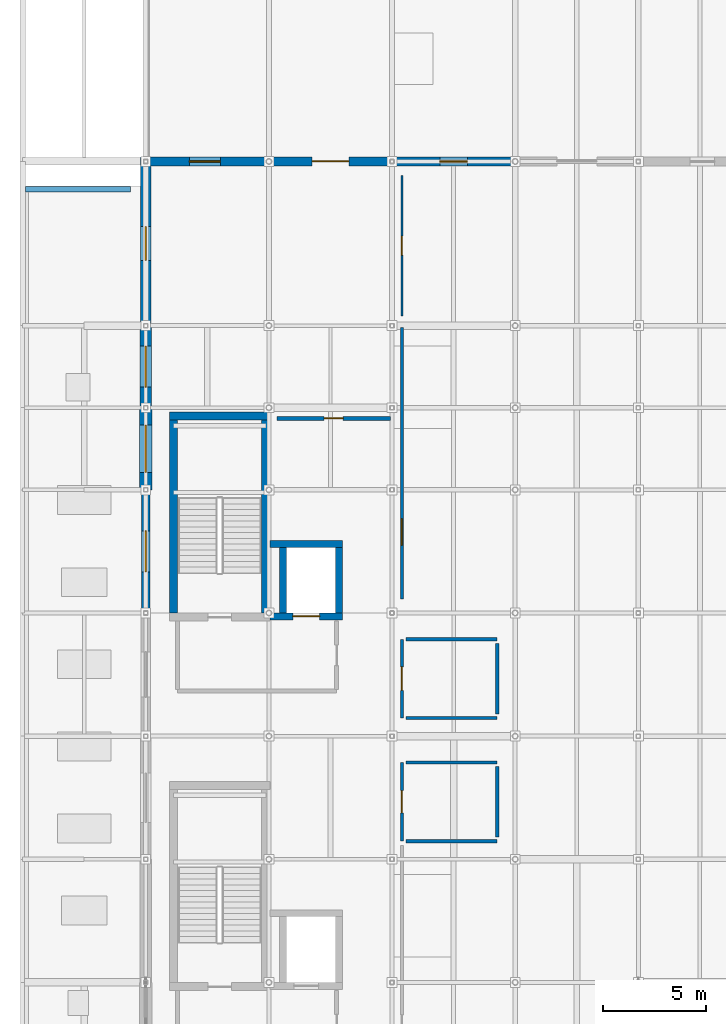
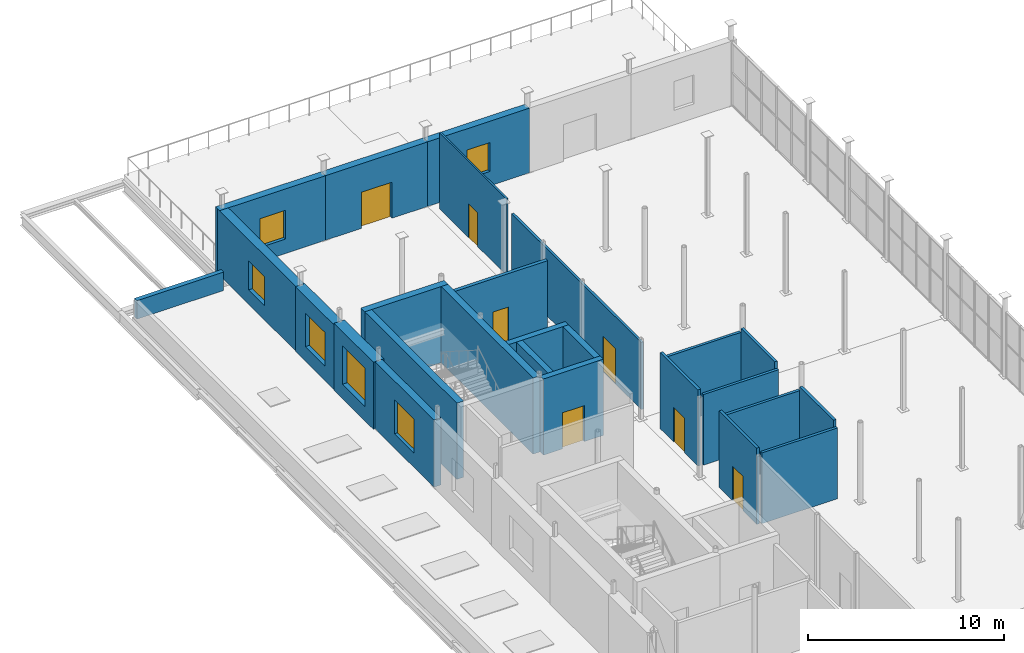
# One storey, part 24 of 27: 26 walls, 7 doors, 6 windows, 13 openings.
"""IFC4 building model written with IfcOpenShell, lengths in metres."""

import ifcopenshell
import ifcopenshell.guid

model = None  # the IFC model being written
_history = None  # IfcOwnerHistory: only IFC2X3 demands one
_inside = {}  # id of a spatial element -> (the spatial element, [elements in it])
_under = {}  # id of a project, library or spatial element -> (it, [spatial elements below it])
_declared = {}  # id of a project -> (the project, [libraries it declares])
_typed = {}  # id of a type object -> (the type object, [elements of that type])
_made_of = {}  # id of a material, layer set ... -> (it, [elements and type objects made of it])


def new_model(schema):
    """Start an empty IFC model of exactly this schema.

    Asked for "IFC4X3", IfcOpenShell would pick the latest addendum, in which some entities
    have other attributes; the version numbers below select the first issue.
    IFC2X3 requires an IfcOwnerHistory on every rooted entity: one is made here for all.
    """
    global model, _history
    if schema == "IFC4X3":
        model = ifcopenshell.file(schema_version=(4, 3, 0, 0))
    else:
        model = ifcopenshell.file(schema=schema)
    _inside.clear()
    _under.clear()
    _declared.clear()
    _typed.clear()
    _made_of.clear()
    _history = None
    if model.schema == "IFC2X3":
        org = make("IfcOrganization", Name="unknown")
        user = make(
            "IfcPersonAndOrganization",
            ThePerson=make("IfcPerson", FamilyName="unknown"),
            TheOrganization=org,
        )
        app = make(
            "IfcApplication",
            ApplicationDeveloper=org,
            Version="unknown",
            ApplicationFullName="unknown",
            ApplicationIdentifier="unknown",
        )
        _history = make(
            "IfcOwnerHistory",
            OwningUser=user,
            OwningApplication=app,
            ChangeAction="ADDED",
            CreationDate=0,
        )
    return model


def make(cls, **values):
    """One entity of the class cls with the attributes given. An attribute that is None is left unset."""
    return model.create_entity(
        cls, **{name: value for name, value in values.items() if value is not None}
    )


def rooted(cls, **values):
    """An entity with a GlobalId (a new one), such as an element, a storey or a relation."""
    return make(cls, GlobalId=ifcopenshell.guid.new(), OwnerHistory=_history, **values)


def si_unit(unit_type, name, prefix=None):
    """IfcSIUnit, for example si_unit("LENGTHUNIT", "METRE", prefix="MILLI")."""
    return make("IfcSIUnit", UnitType=unit_type, Prefix=prefix, Name=name)


def assignment(units):
    """IfcUnitAssignment: the units of a project."""
    return None if units is None else make("IfcUnitAssignment", Units=units)


def point(xyz):
    """IfcCartesianPoint."""
    return None if xyz is None else make("IfcCartesianPoint", Coordinates=xyz)


def direction(xyz):
    """IfcDirection."""
    return None if xyz is None else make("IfcDirection", DirectionRatios=xyz)


def frame(location, z_axis=None, x_axis=None):
    """IfcAxis2Placement3D, a coordinate frame: its origin and axes. An axis left out is left unset."""
    return make(
        "IfcAxis2Placement3D",
        Location=point(location),
        Axis=direction(z_axis),
        RefDirection=direction(x_axis),
    )


def frame_2d(location, x_axis=None):
    """IfcAxis2Placement2D, a coordinate frame in the plane: its origin and x axis."""
    return make(
        "IfcAxis2Placement2D", Location=point(location), RefDirection=direction(x_axis)
    )


def origin():
    """The frame at (0, 0, 0) with its axes left unset."""
    return frame((0.0, 0.0, 0.0))


def place(relative_to, where):
    """IfcLocalPlacement: puts the frame where relative to a parent placement (None: the world)."""
    return make(
        "IfcLocalPlacement", PlacementRelTo=relative_to, RelativePlacement=where
    )


def context(
    kind, dimensions, precision=None, world=None, true_north=None, identifier=None
):
    """IfcGeometricRepresentationContext, for example the 3D "Model" context."""
    return make(
        "IfcGeometricRepresentationContext",
        ContextIdentifier=identifier,
        ContextType=kind,
        CoordinateSpaceDimension=dimensions,
        Precision=precision,
        WorldCoordinateSystem=world,
        TrueNorth=true_north,
    )


def subcontext(parent, identifier, kind, view, scale=None):
    """IfcGeometricRepresentationSubContext, for example "Body" below "Model"."""
    return make(
        "IfcGeometricRepresentationSubContext",
        ContextIdentifier=identifier,
        ContextType=kind,
        ParentContext=parent,
        TargetScale=scale,
        TargetView=view,
    )


def project(units=None, contexts=None):
    """IfcProject with its units and contexts."""
    return rooted(
        "IfcProject",
        Name="project",
        RepresentationContexts=contexts,
        UnitsInContext=assignment(units),
    )


def spatial(cls, under=None, at=None, **own):
    """A site, building, storey or space (cls), placed at a placement, below another one or the project."""
    s = rooted(cls, ObjectPlacement=at, **own)
    if under is not None:
        _under.setdefault(under.id(), (under, []))[1].append(s)
    return s


def profile(cls, at=None, kind="AREA", **sizes):
    """A parametric profile (cls). Its sizes go by their IFC names, for example OverallWidth=200.0."""
    return make(cls, ProfileType=kind, Position=at, **sizes)


def rectangle(**sizes):
    """IfcRectangleProfileDef."""
    return profile("IfcRectangleProfileDef", **sizes)


def extrude(swept, where, along, depth):
    """IfcExtrudedAreaSolid: the profile swept, set in the frame where, extruded along a direction by depth."""
    return make(
        "IfcExtrudedAreaSolid",
        SweptArea=swept,
        Position=where,
        ExtrudedDirection=direction(along),
        Depth=depth,
    )


def shape(context_of_items, identifier, shape_type, items):
    """IfcShapeRepresentation: the items that make up one representation, for example the "Body"."""
    return make(
        "IfcShapeRepresentation",
        ContextOfItems=context_of_items,
        RepresentationIdentifier=identifier,
        RepresentationType=shape_type,
        Items=items,
    )


def material(Name=None, Category=None):
    """IfcMaterial."""
    return make("IfcMaterial", Name=Name, Category=Category)


def layer(
    of_material, thickness, ventilated=None, Name=None, Category=None, Priority=None
):
    """IfcMaterialLayer: one layer of a wall or slab, of a material (None: an air gap)."""
    return make(
        "IfcMaterialLayer",
        Material=of_material,
        LayerThickness=thickness,
        IsVentilated=ventilated,
        Name=Name,
        Category=Category,
        Priority=Priority,
    )


def layer_set(layers, Name=None):
    """IfcMaterialLayerSet."""
    return make("IfcMaterialLayerSet", MaterialLayers=layers, LayerSetName=Name)


def made_of(thing, what):
    """Note that an element or type object is made of a material, layer set ...; save() writes the relation."""
    if what is not None:
        _made_of.setdefault(what.id(), (what, []))[1].append(thing)
    return thing


def type_object(cls, material=None, **own):
    """A type object (cls), such as IfcWallType, which elements share."""
    return made_of(rooted(cls, **own), material)


def element(
    cls,
    number,
    at=None,
    inside=None,
    cuts=None,
    type_object=None,
    material=None,
    context=None,
    identifier="Body",
    shape_type=None,
    held_by="IfcProductDefinitionShape",
    body=None,
    shapes=None,
    **own,
):
    """One element of the class cls, such as IfcWall. Its Tag is "e" and its number.

    at: its placement. inside: the storey or other place that contains it. cuts: it is an
    opening in that element (IfcRelVoidsElement). A single representation is given by context,
    identifier, shape_type and body (its items); several are given by shapes. held_by: the class
    of the entity that holds the representations. save() writes the other relations.
    """
    e = rooted(cls, Tag="e%d" % number, ObjectPlacement=at, **own)
    if body is not None:
        shapes = [shape(context, identifier, shape_type, body)]
    if shapes is not None:
        e.Representation = make(held_by, Representations=shapes)
    if inside is not None:
        _inside.setdefault(inside.id(), (inside, []))[1].append(e)
    if cuts is not None:
        rooted(
            "IfcRelVoidsElement", RelatingBuildingElement=cuts, RelatedOpeningElement=e
        )
    if type_object is not None:
        _typed.setdefault(type_object.id(), (type_object, []))[1].append(e)
    return made_of(e, material)


def fill(opening, filler):
    """IfcRelFillsElement: the door or window that sits in an opening."""
    return rooted(
        "IfcRelFillsElement",
        RelatingOpeningElement=opening,
        RelatedBuildingElement=filler,
    )


def aggregate(whole, parts):
    """IfcRelAggregates: a whole, such as a stair, and the parts it consists of."""
    return rooted("IfcRelAggregates", RelatingObject=whole, RelatedObjects=parts)


def save(model, path):
    """Write the relations noted so far, then the file.

    IfcRelAggregates (storeys below a building ...), IfcRelContainedInSpatialStructure (elements
    in a storey), IfcRelDefinesByType, IfcRelAssociatesMaterial and IfcRelDeclares: one each for
    every whole, place, type object, material and project.
    """
    for whole, parts in _under.values():
        aggregate(whole, parts)
    for where, things in _inside.values():
        rooted(
            "IfcRelContainedInSpatialStructure",
            RelatedElements=things,
            RelatingStructure=where,
        )
    for kind, things in _typed.values():
        rooted("IfcRelDefinesByType", RelatedObjects=things, RelatingType=kind)
    for what, things in _made_of.values():
        rooted("IfcRelAssociatesMaterial", RelatedObjects=things, RelatingMaterial=what)
    for by, libraries in _declared.values():
        rooted("IfcRelDeclares", RelatingContext=by, RelatedDefinitions=libraries)
    model.write(path)


model = new_model("IFC4")

# Units and contexts
model_context = context("Model", 3, precision=1e-05, world=origin(), true_north=direction((0.0, 1.0)))
body_context = subcontext(model_context, "Body", "Model", "MODEL_VIEW")
ifc_project = project(units=[si_unit("LENGTHUNIT", "METRE"), si_unit("AREAUNIT", "SQUARE_METRE"), si_unit("VOLUMEUNIT", "CUBIC_METRE"), si_unit("PLANEANGLEUNIT", "RADIAN"), si_unit("MASSUNIT", "GRAM", prefix="KILO")], contexts=[model_context])

# Site, building, storey
site_placement = place(None, origin())
site = spatial("IfcSite", under=ifc_project, at=site_placement, CompositionType="ELEMENT")
building_placement = place(site_placement, origin())
building = spatial("IfcBuilding", under=site, at=building_placement, Name="Verrall Gate Interchange", CompositionType="ELEMENT")
storey_placement = place(building_placement, frame((0.0, 0.0, 23.60009765625)))
storey = spatial("IfcBuildingStorey", under=building, at=storey_placement, Name="L06", CompositionType="ELEMENT", Elevation=23.60009765625)

# Wall, opening, window
ifc_material_1 = material(Name="Tyndall Dolomitic Limestone Ashlar Cavity Assembly (U=0.18)", Category="masonry")
ifc_layer_1 = layer(ifc_material_1, 0.419921875)
ifc_layer_set_1 = layer_set([ifc_layer_1], Name="Tyndall Dolomitic Limestone Ashlar Cavity Assembly (U=0.18)")
wall_type_1 = type_object("IfcWallType", Name="EW-01 Exterior Solid Wall 420", PredefinedType="SOLIDWALL", material=ifc_layer_set_1)
wall_1_placement = place(storey_placement, frame((24.008056640625, 56.0, 0.0), z_axis=(0.0, 0.0, 1.0), x_axis=(-1.0, 0.0, 0.0)))
wall_1 = element("IfcWall", 1, at=wall_1_placement, inside=storey, type_object=wall_type_1, Name="L06 Classical Limestone Facade Wall 142", PredefinedType="SOLIDWALL", context=body_context, shape_type="SweptSolid", body=[
    extrude(rectangle(XDim=6.01611328125, YDim=0.419921875, at=frame_2d((3.008056640625, 0.0))), origin(), (0.0, 0.0, 1.0), 4.02685546875),
])
opening_1_placement = place(wall_1_placement, frame((2.3330078125, 0.0, 0.89990234375)))
opening_1 = element("IfcOpeningElement", 2, at=opening_1_placement, cuts=wall_1, Name="Opening WN-02", PredefinedType="OPENING", context=body_context, shape_type="SweptSolid", body=[
    extrude(rectangle(XDim=1.35009765625, YDim=1.800048828125, at=frame_2d((0.675048828125, 0.89990234375))), frame((0.0, 0.224853515625, 0.0), z_axis=(0.0, -1.0, 0.0), x_axis=(1.0, 0.0, 0.0)), (0.0, 0.0, 1.0), 0.44970703125),
])
ifc_material_2 = material(Name="Triple-Glazed Low-E Argon Bronze-Clad Window Unit (U=1.40)", Category="glass")
window_type_1 = type_object("IfcWindowType", Name="WN-02 Classical Deep-Reveal Window 1350x1800", PartitioningType="SINGLE_PANEL", PredefinedType="WINDOW", material=ifc_material_2)
window_1_placement = place(opening_1_placement, origin())
window_1 = element("IfcWindow", 3, at=window_1_placement, inside=storey, type_object=window_type_1, Name="L06 Classical Window 077 (WN-02)", OverallHeight=1.800048828125, OverallWidth=1.35009765625, PartitioningType="SINGLE_PANEL", PredefinedType="WINDOW", context=body_context, shape_type="SweptSolid", body=[
    extrude(rectangle(XDim=1.35009765625, YDim=1.800048828125, at=frame_2d((0.675048828125, 0.89990234375))), frame((0.0, 0.030029296875, 0.0), z_axis=(0.0, -1.0, 0.0), x_axis=(1.0, 0.0, 0.0)), (0.0, 0.0, 1.0), 0.06005859375),
])
fill(opening_1, window_1)

# Wall, opening, door
wall_2_placement = place(storey_placement, frame((18.008056640625, 56.0, 0.0), z_axis=(0.0, 0.0, 1.0), x_axis=(-1.0, 0.0, 0.0)))
wall_2 = element("IfcWall", 4, at=wall_2_placement, inside=storey, type_object=wall_type_1, Name="L06 Classical Limestone Facade Wall 143", PredefinedType="SOLIDWALL", context=body_context, shape_type="SweptSolid", body=[
    extrude(rectangle(XDim=6.01611328125, YDim=0.419921875, at=frame_2d((3.008056640625, 0.0))), origin(), (0.0, 0.0, 1.0), 4.02685546875),
])
opening_2_placement = place(wall_2_placement, frame((2.10791015625, 0.0, 0.0)))
opening_2 = element("IfcOpeningElement", 5, at=opening_2_placement, cuts=wall_2, Name="Opening E51", PredefinedType="OPENING", context=body_context, shape_type="SweptSolid", body=[
    extrude(rectangle(XDim=1.800048828125, YDim=2.25, at=frame_2d((0.89990234375, 1.125))), frame((0.0, 0.224853515625, 0.0), z_axis=(0.0, -1.0, 0.0), x_axis=(1.0, 0.0, 0.0)), (0.0, 0.0, 1.0), 0.44970703125),
])
ifc_material_3 = material(Name="Thermally Broken Bronze-Anodized Aluminium Entrance Assembly", Category="aluminium")
door_type_1 = type_object("IfcDoorType", Name="GD-01 Exterior Entrance Door 1800x2250", OperationType="NOTDEFINED", PredefinedType="DOOR", material=ifc_material_3)
door_1_placement = place(opening_2_placement, origin())
door_1 = element("IfcDoor", 6, at=door_1_placement, inside=storey, type_object=door_type_1, Name="L06 Roof Garden Terrace Door E51", OperationType="DOUBLE_DOOR_SINGLE_SWING", OverallHeight=2.25, OverallWidth=1.800048828125, PredefinedType="DOOR", context=body_context, shape_type="SweptSolid", body=[
    extrude(rectangle(XDim=1.800048828125, YDim=2.25, at=frame_2d((0.89990234375, 1.125))), frame((0.0, 0.02490234375, 0.0), z_axis=(0.0, -1.0, 0.0), x_axis=(1.0, 0.0, 0.0)), (0.0, 0.0, 1.0), 0.050048828125),
])
fill(opening_2, door_1)

# Wall, opening, window
wall_3_placement = place(storey_placement, frame((12.008056640625, 56.0, 0.0), z_axis=(0.0, 0.0, 1.0), x_axis=(-1.0, 0.0, 0.0)))
wall_3 = element("IfcWall", 7, at=wall_3_placement, inside=storey, type_object=wall_type_1, Name="L06 Classical Limestone Facade Wall 144", PredefinedType="SOLIDWALL", context=body_context, shape_type="SweptSolid", body=[
    extrude(rectangle(XDim=6.258056640625, YDim=0.419921875, at=frame_2d((3.12890625, 0.0))), origin(), (0.0, 0.0, 1.0), 4.02685546875),
])
opening_3_placement = place(wall_3_placement, frame((2.37890625, 0.0, 0.89990234375)))
opening_3 = element("IfcOpeningElement", 8, at=opening_3_placement, cuts=wall_3, Name="Opening WN-03", PredefinedType="OPENING", context=body_context, shape_type="SweptSolid", body=[
    extrude(rectangle(XDim=1.5, YDim=1.800048828125, at=frame_2d((0.75, 0.89990234375))), frame((0.0, 0.224853515625, 0.0), z_axis=(0.0, -1.0, 0.0), x_axis=(1.0, 0.0, 0.0)), (0.0, 0.0, 1.0), 0.44970703125),
])
ifc_material_4 = material(Name="Triple-Glazed Low-E Argon Bronze-Clad Window Unit (U=1.40)", Category="glass")
window_type_2 = type_object("IfcWindowType", Name="WN-03 Classical Deep-Reveal Window 1500x1800", PartitioningType="SINGLE_PANEL", PredefinedType="WINDOW", material=ifc_material_4)
window_2_placement = place(opening_3_placement, origin())
window_2 = element("IfcWindow", 9, at=window_2_placement, inside=storey, type_object=window_type_2, Name="L06 Classical Window 078 (WN-03)", OverallHeight=1.800048828125, OverallWidth=1.5, PartitioningType="SINGLE_PANEL", PredefinedType="WINDOW", context=body_context, shape_type="SweptSolid", body=[
    extrude(rectangle(XDim=1.5, YDim=1.800048828125, at=frame_2d((0.75, 0.89990234375))), frame((0.0, 0.030029296875, 0.0), z_axis=(0.0, -1.0, 0.0), x_axis=(1.0, 0.0, 0.0)), (0.0, 0.0, 1.0), 0.06005859375),
])
fill(opening_3, window_2)

wall_4_placement = place(storey_placement, frame((6.0, 40.008056640625, 0.0), z_axis=(0.0, 0.0, 1.0), x_axis=(0.0, -1.0, 0.0)))
wall_4 = element("IfcWall", 10, at=wall_4_placement, inside=storey, type_object=wall_type_1, Name="L06 Classical Limestone Facade Wall 148", PredefinedType="SOLIDWALL", context=body_context, shape_type="SweptSolid", body=[
    extrude(rectangle(XDim=6.01611328125, YDim=0.419921875, at=frame_2d((3.008056640625, 0.0))), origin(), (0.0, 0.0, 1.0), 4.180908203125),
])
opening_4_placement = place(wall_4_placement, frame((2.008056640625, 0.0, 0.89990234375)))
opening_4 = element("IfcOpeningElement", 11, at=opening_4_placement, cuts=wall_4, Name="Opening WN-13", PredefinedType="OPENING", context=body_context, shape_type="SweptSolid", body=[
    extrude(rectangle(XDim=2.0, YDim=2.10009765625, at=frame_2d((1.0, 1.050048828125))), frame((0.0, 0.224853515625, 0.0), z_axis=(0.0, -1.0, 0.0), x_axis=(1.0, 0.0, 0.0)), (0.0, 0.0, 1.0), 0.44970703125),
])
ifc_material_5 = material(Name="Triple-Glazed Low-E Argon Bronze-Clad Window Unit (U=1.40)", Category="glass")
window_type_3 = type_object("IfcWindowType", Name="WN-13 Classical Deep-Reveal Window 2000x2100", PartitioningType="SINGLE_PANEL", PredefinedType="WINDOW", material=ifc_material_5)
window_3_placement = place(opening_4_placement, origin())
window_3 = element("IfcWindow", 12, at=window_3_placement, inside=storey, type_object=window_type_3, Name="L06 Classical Window 082 (WN-13)", OverallHeight=2.10009765625, OverallWidth=2.0, PartitioningType="SINGLE_PANEL", PredefinedType="WINDOW", context=body_context, shape_type="SweptSolid", body=[
    extrude(rectangle(XDim=2.0, YDim=2.10009765625, at=frame_2d((1.0, 1.050048828125))), frame((0.0, 0.030029296875, 0.0), z_axis=(0.0, -1.0, 0.0), x_axis=(1.0, 0.0, 0.0)), (0.0, 0.0, 1.0), 0.06005859375),
])
fill(opening_4, window_3)

ifc_material_6 = material(Name="Prairie Charcoal Granite Plinth Rainscreen Assembly (U=0.18)", Category="masonry")
ifc_layer_2 = layer(ifc_material_6, 0.52001953125)
ifc_layer_set_2 = layer_set([ifc_layer_2], Name="Prairie Charcoal Granite Plinth Rainscreen Assembly (U=0.18)")
wall_type_2 = type_object("IfcWallType", Name="EW-03 Exterior Solid Wall 520", PredefinedType="SOLIDWALL", material=ifc_layer_set_2)
wall_5_placement = place(storey_placement, frame((6.0, 56.008056640625, 0.0), z_axis=(0.0, 0.0, 1.0), x_axis=(0.0, -1.0, 0.0)))
wall_5 = element("IfcWall", 13, at=wall_5_placement, inside=storey, type_object=wall_type_2, Name="L06 Classical Limestone Facade Wall 145", PredefinedType="SOLIDWALL", context=body_context, shape_type="SweptSolid", body=[
    extrude(rectangle(XDim=8.01611328125, YDim=0.52001953125, at=frame_2d((4.008056640625, 0.0))), origin(), (0.0, 0.0, 1.0), 4.02685546875),
])
opening_5_placement = place(wall_5_placement, frame((3.18310546875, 0.0, 0.89990234375)))
opening_5 = element("IfcOpeningElement", 14, at=opening_5_placement, cuts=wall_5, Name="Opening WN-04", PredefinedType="OPENING", context=body_context, shape_type="SweptSolid", body=[
    extrude(rectangle(XDim=1.64990234375, YDim=1.800048828125, at=frame_2d((0.824951171875, 0.89990234375))), frame((0.0, 0.27490234375, 0.0), z_axis=(0.0, -1.0, 0.0), x_axis=(1.0, 0.0, 0.0)), (0.0, 0.0, 1.0), 0.5498046875),
])
ifc_material_7 = material(Name="Triple-Glazed Low-E Argon Bronze-Clad Window Unit (U=1.40)", Category="glass")
window_type_4 = type_object("IfcWindowType", Name="WN-04 Classical Deep-Reveal Window 1650x1800", PartitioningType="SINGLE_PANEL", PredefinedType="WINDOW", material=ifc_material_7)
window_4_placement = place(opening_5_placement, origin())
window_4 = element("IfcWindow", 15, at=window_4_placement, inside=storey, type_object=window_type_4, Name="L06 Classical Window 079 (WN-04)", OverallHeight=1.800048828125, OverallWidth=1.64990234375, PartitioningType="SINGLE_PANEL", PredefinedType="WINDOW", context=body_context, shape_type="SweptSolid", body=[
    extrude(rectangle(XDim=1.64990234375, YDim=1.800048828125, at=frame_2d((0.824951171875, 0.89990234375))), frame((0.0, 0.030029296875, 0.0), z_axis=(0.0, -1.0, 0.0), x_axis=(1.0, 0.0, 0.0)), (0.0, 0.0, 1.0), 0.06005859375),
])
fill(opening_5, window_4)

ifc_material_8 = material(Name="Tyndall Dolomitic Limestone Ashlar Cavity Assembly (U=0.18)", Category="masonry")
ifc_layer_3 = layer(ifc_material_8, 0.56005859375)
ifc_layer_set_3 = layer_set([ifc_layer_3], Name="Tyndall Dolomitic Limestone Ashlar Cavity Assembly (U=0.18)")
wall_type_3 = type_object("IfcWallType", Name="EW-04 Exterior Solid Wall 560", PredefinedType="SOLIDWALL", material=ifc_layer_set_3)
wall_6_placement = place(storey_placement, frame((6.0, 48.008056640625, 0.0), z_axis=(0.0, 0.0, 1.0), x_axis=(0.0, -1.0, 0.0)))
wall_6 = element("IfcWall", 16, at=wall_6_placement, inside=storey, type_object=wall_type_3, Name="L06 Classical Limestone Facade Wall 146", PredefinedType="SOLIDWALL", context=body_context, shape_type="SweptSolid", body=[
    extrude(rectangle(XDim=4.01611328125, YDim=0.56005859375, at=frame_2d((2.008056640625, 0.0))), origin(), (0.0, 0.0, 1.0), 4.02685546875),
])
opening_6_placement = place(wall_6_placement, frame((1.008056640625, 0.0, 0.89990234375)))
opening_6 = element("IfcOpeningElement", 17, at=opening_6_placement, cuts=wall_6, Name="Opening WN-13", PredefinedType="OPENING", context=body_context, shape_type="SweptSolid", body=[
    extrude(rectangle(XDim=2.0, YDim=2.10009765625, at=frame_2d((1.0, 1.050048828125))), frame((0.0, 0.294921875, 0.0), z_axis=(0.0, -1.0, 0.0), x_axis=(1.0, 0.0, 0.0)), (0.0, 0.0, 1.0), 0.58984375),
])
window_5_placement = place(opening_6_placement, origin())
window_5 = element("IfcWindow", 18, at=window_5_placement, inside=storey, type_object=window_type_3, Name="L06 Classical Window 080 (WN-13)", OverallHeight=2.10009765625, OverallWidth=2.0, PartitioningType="SINGLE_PANEL", PredefinedType="WINDOW", context=body_context, shape_type="SweptSolid", body=[
    extrude(rectangle(XDim=2.0, YDim=2.10009765625, at=frame_2d((1.0, 1.050048828125))), frame((0.0, 0.030029296875, 0.0), z_axis=(0.0, -1.0, 0.0), x_axis=(1.0, 0.0, 0.0)), (0.0, 0.0, 1.0), 0.06005859375),
])
fill(opening_6, window_5)

ifc_material_9 = material(Name="Prairie Charcoal Granite Plinth Rainscreen Assembly (U=0.18)", Category="masonry")
ifc_layer_4 = layer(ifc_material_9, 0.6201171875)
ifc_layer_set_4 = layer_set([ifc_layer_4], Name="Prairie Charcoal Granite Plinth Rainscreen Assembly (U=0.18)")
wall_type_4 = type_object("IfcWallType", Name="EW-05 Exterior Solid Wall 620", PredefinedType="SOLIDWALL", material=ifc_layer_set_4)
wall_7_placement = place(storey_placement, frame((6.0, 44.008056640625, 0.0), z_axis=(0.0, 0.0, 1.0), x_axis=(0.0, -1.0, 0.0)))
wall_7 = element("IfcWall", 19, at=wall_7_placement, inside=storey, type_object=wall_type_4, Name="L06 Classical Limestone Facade Wall 147", PredefinedType="SOLIDWALL", context=body_context, shape_type="SweptSolid", body=[
    extrude(rectangle(XDim=4.01611328125, YDim=0.6201171875, at=frame_2d((2.008056640625, 0.0))), origin(), (0.0, 0.0, 1.0), 4.180908203125),
])
opening_7_placement = place(wall_7_placement, frame((0.85791015625, 0.0, 0.89990234375)))
opening_7 = element("IfcOpeningElement", 20, at=opening_7_placement, cuts=wall_7, Name="Opening WN-22", PredefinedType="OPENING", context=body_context, shape_type="SweptSolid", body=[
    extrude(rectangle(XDim=2.300048828125, YDim=2.39990234375, at=frame_2d((1.14990234375, 1.199951171875))), frame((0.0, 0.324951171875, 0.0), z_axis=(0.0, -1.0, 0.0), x_axis=(1.0, 0.0, 0.0)), (0.0, 0.0, 1.0), 0.64990234375),
])
ifc_material_10 = material(Name="Triple-Glazed Low-E Argon Bronze-Clad Window Unit (U=1.40)", Category="glass")
window_type_5 = type_object("IfcWindowType", Name="WN-22 Classical Deep-Reveal Window 2300x2400", PartitioningType="SINGLE_PANEL", PredefinedType="WINDOW", material=ifc_material_10)
window_6_placement = place(opening_7_placement, origin())
window_6 = element("IfcWindow", 21, at=window_6_placement, inside=storey, type_object=window_type_5, Name="L06 Classical Window 081 (WN-22)", OverallHeight=2.39990234375, OverallWidth=2.300048828125, PartitioningType="SINGLE_PANEL", PredefinedType="WINDOW", context=body_context, shape_type="SweptSolid", body=[
    extrude(rectangle(XDim=2.300048828125, YDim=2.39990234375, at=frame_2d((1.14990234375, 1.199951171875))), frame((0.0, 0.030029296875, 0.0), z_axis=(0.0, -1.0, 0.0), x_axis=(1.0, 0.0, 0.0)), (0.0, 0.0, 1.0), 0.06005859375),
])
fill(opening_7, window_6)

# Wall, opening, door
ifc_material_11 = material(Name="Fire-Rated Type X Gypsum Stud Partition Assembly (60 min)", Category="gypsum")
ifc_layer_5 = layer(ifc_material_11, 0.199951171875)
ifc_layer_set_5 = layer_set([ifc_layer_5], Name="Fire-Rated Type X Gypsum Stud Partition Assembly (60 min)")
wall_type_5 = type_object("IfcWallType", Name="IW-01 Interior Partition Wall 200", PredefinedType="PARTITIONING", material=ifc_layer_set_5)
wall_8_placement = place(storey_placement, frame((17.919921875, 43.47998046875, 0.0), z_axis=(0.0, 0.0, 1.0), x_axis=(-1.0, 0.0, 0.0)))
wall_8 = element("IfcWall", 22, at=wall_8_placement, inside=storey, type_object=wall_type_5, Name="L06 Signalling Interlocking Room Partition 100", PredefinedType="PARTITIONING", context=body_context, shape_type="SweptSolid", body=[
    extrude(rectangle(XDim=5.531005859375, YDim=0.199951171875, at=frame_2d((2.765625, 0.0))), origin(), (0.0, 0.0, 1.0), 4.180908203125),
])
opening_8_placement = place(wall_8_placement, frame((2.305419921875, 0.0, 0.0)))
opening_8 = element("IfcOpeningElement", 23, at=opening_8_placement, cuts=wall_8, Name="Opening D066", PredefinedType="OPENING", context=body_context, shape_type="SweptSolid", body=[
    extrude(rectangle(XDim=0.919921875, YDim=2.10009765625, at=frame_2d((0.4599609375, 1.050048828125))), frame((0.0, 0.11474609375, 0.0), z_axis=(0.0, -1.0, 0.0), x_axis=(1.0, 0.0, 0.0)), (0.0, 0.0, 1.0), 0.229736328125),
])
ifc_material_12 = material(Name="Architectural Solid-Core Birch Acoustic Door Assembly", Category="wood")
door_type_2 = type_object("IfcDoorType", Name="ID-10 Interior Swing Door 920x2100", OperationType="NOTDEFINED", PredefinedType="DOOR", material=ifc_material_12)
door_2_placement = place(opening_8_placement, origin())
door_2 = element("IfcDoor", 24, at=door_2_placement, inside=storey, type_object=door_type_2, Name="L06 Signalling Interlocking Room Door D066", OperationType="SINGLE_SWING_LEFT", OverallHeight=2.10009765625, OverallWidth=0.919921875, PredefinedType="DOOR", context=body_context, shape_type="SweptSolid", body=[
    extrude(rectangle(XDim=0.919921875, YDim=2.10009765625, at=frame_2d((0.4599609375, 1.050048828125))), frame((0.0, 0.02490234375, 0.0), z_axis=(0.0, -1.0, 0.0), x_axis=(1.0, 0.0, 0.0)), (0.0, 0.0, 1.0), 0.050048828125),
])
fill(opening_8, door_2)

ifc_material_13 = material(Name="Fire-Rated Type X Gypsum Stud Partition Assembly (60 min)", Category="gypsum")
ifc_layer_6 = layer(ifc_material_13, 0.159912109375)
ifc_layer_set_6 = layer_set([ifc_layer_6], Name="Fire-Rated Type X Gypsum Stud Partition Assembly (60 min)")
wall_type_6 = type_object("IfcWallType", Name="IW-02 Interior Partition Wall 160", PredefinedType="PARTITIONING", material=ifc_layer_set_6)
wall_9_placement = place(storey_placement, frame((18.47998046875, 22.8798828125, 0.0), z_axis=(0.0, 0.0, 1.0), x_axis=(0.0, 1.0, 0.0)))
wall_9 = element("IfcWall", 25, at=wall_9_placement, inside=storey, type_object=wall_type_6, Name="L06 L06 Staff Washroom Partition 090", PredefinedType="PARTITIONING", context=body_context, shape_type="SweptSolid", body=[
    extrude(rectangle(XDim=3.840087890625, YDim=0.159912109375, at=frame_2d((1.919921875, 0.0))), origin(), (0.0, 0.0, 1.0), 4.75),
])
opening_9_placement = place(wall_9_placement, frame((1.3798828125, 0.0, 0.0)))
opening_9 = element("IfcOpeningElement", 26, at=opening_9_placement, cuts=wall_9, Name="Opening D062", PredefinedType="OPENING", context=body_context, shape_type="SweptSolid", body=[
    extrude(rectangle(XDim=1.080078125, YDim=2.14990234375, at=frame_2d((0.5400390625, 1.074951171875))), frame((0.0, 0.0947265625, 0.0), z_axis=(0.0, -1.0, 0.0), x_axis=(1.0, 0.0, 0.0)), (0.0, 0.0, 1.0), 0.189697265625),
])
ifc_material_14 = material(Name="Architectural Solid-Core Birch Acoustic Door Assembly", Category="wood")
door_type_3 = type_object("IfcDoorType", Name="ID-13 Interior Swing Door 1080x2150", OperationType="NOTDEFINED", PredefinedType="DOOR", material=ifc_material_14)
door_3_placement = place(opening_9_placement, origin())
door_3 = element("IfcDoor", 27, at=door_3_placement, inside=storey, type_object=door_type_3, Name="L06 L06 Staff Washroom Door D062", OperationType="SINGLE_SWING_LEFT", OverallHeight=2.14990234375, OverallWidth=1.080078125, PredefinedType="DOOR", context=body_context, shape_type="SweptSolid", body=[
    extrude(rectangle(XDim=1.080078125, YDim=2.14990234375, at=frame_2d((0.5400390625, 1.074951171875))), frame((0.0, 0.02490234375, 0.0), z_axis=(0.0, -1.0, 0.0), x_axis=(1.0, 0.0, 0.0)), (0.0, 0.0, 1.0), 0.050048828125),
])
fill(opening_9, door_3)

# Walls
for number, where, z_axis, x_axis, name in (
    (28, (18.679931640625, 26.719970703125, 0.0), (0.0, 0.0, 1.0), (1.0, 0.0, 0.0), "L06 L06 Staff Washroom Partition 091"),
    (29, (23.1201171875, 22.8798828125, 0.0), (0.0, 0.0, 1.0), (-1.0, 0.0, 0.0), "L06 L06 Staff Washroom Partition 092"),
):
    element("IfcWall", number, at=place(storey_placement, frame(where, z_axis=z_axis, x_axis=x_axis)), inside=storey, type_object=wall_type_6, Name=name, PredefinedType="PARTITIONING", context=body_context, shape_type="SweptSolid", body=[
        extrude(rectangle(XDim=4.440185546875, YDim=0.159912109375, at=frame_2d((2.22021484375, 0.0))), origin(), (0.0, 0.0, 1.0), 4.413818359375),
    ])
wall_10_placement = place(storey_placement, frame((23.1201171875, 26.52001953125, 0.0), z_axis=(0.0, 0.0, 1.0), x_axis=(0.0, -1.0, 0.0)))
element("IfcWall", 30, at=wall_10_placement, inside=storey, type_object=wall_type_6, Name="L06 L06 Staff Washroom Partition 093", PredefinedType="PARTITIONING", context=body_context, shape_type="SweptSolid", body=[
    extrude(rectangle(XDim=3.43994140625, YDim=0.159912109375, at=frame_2d((1.719970703125, 0.0))), origin(), (0.0, 0.0, 1.0), 4.75),
])

# Wall, opening, door
wall_11_placement = place(storey_placement, frame((18.47998046875, 28.8798828125, 0.0), z_axis=(0.0, 0.0, 1.0), x_axis=(0.0, 1.0, 0.0)))
wall_11 = element("IfcWall", 31, at=wall_11_placement, inside=storey, type_object=wall_type_6, Name="L06 L06 Accessible Washroom Partition 094", PredefinedType="PARTITIONING", context=body_context, shape_type="SweptSolid", body=[
    extrude(rectangle(XDim=3.840087890625, YDim=0.159912109375, at=frame_2d((1.919921875, 0.0))), origin(), (0.0, 0.0, 1.0), 4.75),
])
opening_10_placement = place(wall_11_placement, frame((1.35009765625, 0.0, 0.0)))
opening_10 = element("IfcOpeningElement", 32, at=opening_10_placement, cuts=wall_11, Name="Opening D063", PredefinedType="OPENING", context=body_context, shape_type="SweptSolid", body=[
    extrude(rectangle(XDim=1.139892578125, YDim=2.14990234375, at=frame_2d((0.56982421875, 1.074951171875))), frame((0.0, 0.0947265625, 0.0), z_axis=(0.0, -1.0, 0.0), x_axis=(1.0, 0.0, 0.0)), (0.0, 0.0, 1.0), 0.189697265625),
])
ifc_material_15 = material(Name="Architectural Solid-Core Birch Acoustic Door Assembly", Category="wood")
door_type_4 = type_object("IfcDoorType", Name="ID-14 Interior Swing Door 1140x2150", OperationType="NOTDEFINED", PredefinedType="DOOR", material=ifc_material_15)
door_4_placement = place(opening_10_placement, origin())
door_4 = element("IfcDoor", 33, at=door_4_placement, inside=storey, type_object=door_type_4, Name="L06 L06 Accessible Washroom Door D063", OperationType="SINGLE_SWING_RIGHT", OverallHeight=2.14990234375, OverallWidth=1.139892578125, PredefinedType="DOOR", context=body_context, shape_type="SweptSolid", body=[
    extrude(rectangle(XDim=1.139892578125, YDim=2.14990234375, at=frame_2d((0.56982421875, 1.074951171875))), frame((0.0, 0.02490234375, 0.0), z_axis=(0.0, -1.0, 0.0), x_axis=(1.0, 0.0, 0.0)), (0.0, 0.0, 1.0), 0.050048828125),
])
fill(opening_10, door_4)

# Walls
for number, where, z_axis, x_axis, name in (
    (34, (18.679931640625, 32.719970703125, 0.0), (0.0, 0.0, 1.0), (1.0, 0.0, 0.0), "L06 L06 Accessible Washroom Partition 095"),
    (35, (23.1201171875, 28.8798828125, 0.0), (0.0, 0.0, 1.0), (-1.0, 0.0, 0.0), "L06 L06 Accessible Washroom Partition 096"),
):
    element("IfcWall", number, at=place(storey_placement, frame(where, z_axis=z_axis, x_axis=x_axis)), inside=storey, type_object=wall_type_6, Name=name, PredefinedType="PARTITIONING", context=body_context, shape_type="SweptSolid", body=[
        extrude(rectangle(XDim=4.440185546875, YDim=0.159912109375, at=frame_2d((2.22021484375, 0.0))), origin(), (0.0, 0.0, 1.0), 4.406005859375),
    ])
wall_12_placement = place(storey_placement, frame((23.1201171875, 32.52001953125, 0.0), z_axis=(0.0, 0.0, 1.0), x_axis=(0.0, -1.0, 0.0)))
element("IfcWall", 36, at=wall_12_placement, inside=storey, type_object=wall_type_6, Name="L06 L06 Accessible Washroom Partition 097", PredefinedType="PARTITIONING", context=body_context, shape_type="SweptSolid", body=[
    extrude(rectangle(XDim=3.43994140625, YDim=0.159912109375, at=frame_2d((1.719970703125, 0.0))), origin(), (0.0, 0.0, 1.0), 4.75),
])

# Wall, opening, door
ifc_material_16 = material(Name="Acoustic Steel-Stud Partition Assembly", Category="steel")
ifc_layer_7 = layer(ifc_material_16, 0.139892578125)
ifc_layer_set_7 = layer_set([ifc_layer_7], Name="Acoustic Steel-Stud Partition Assembly")
wall_type_7 = type_object("IfcWallType", Name="IW-03 Interior Partition Wall 140", PredefinedType="PARTITIONING", material=ifc_layer_set_7)
wall_13_placement = place(storey_placement, frame((18.47998046875, 34.679931640625, 0.0), z_axis=(0.0, 0.0, 1.0), x_axis=(0.0, 1.0, 0.0)))
wall_13 = element("IfcWall", 37, at=wall_13_placement, inside=storey, type_object=wall_type_7, Name="L06 Emergency Incident Command Bridge Partition 099", PredefinedType="PARTITIONING", context=body_context, shape_type="SweptSolid", body=[
    extrude(rectangle(XDim=13.239990234375, YDim=0.139892578125, at=frame_2d((6.6201171875, 0.0))), origin(), (0.0, 0.0, 1.0), 4.180908203125),
])
opening_11_placement = place(wall_13_placement, frame((2.631103515625, 0.0, 0.0)))
opening_11 = element("IfcOpeningElement", 38, at=opening_11_placement, cuts=wall_13, Name="Opening D065", PredefinedType="OPENING", context=body_context, shape_type="SweptSolid", body=[
    extrude(rectangle(XDim=1.280029296875, YDim=2.199951171875, at=frame_2d((0.64013671875, 1.10009765625))), frame((0.0, 0.0849609375, 0.0), z_axis=(0.0, -1.0, 0.0), x_axis=(1.0, 0.0, 0.0)), (0.0, 0.0, 1.0), 0.169677734375),
])
ifc_material_17 = material(Name="Architectural Solid-Core Birch Acoustic Door Assembly", Category="wood")
door_type_5 = type_object("IfcDoorType", Name="ID-16 Interior Swing Door 1280x2200", OperationType="NOTDEFINED", PredefinedType="DOOR", material=ifc_material_17)
door_5_placement = place(opening_11_placement, origin())
door_5 = element("IfcDoor", 39, at=door_5_placement, inside=storey, type_object=door_type_5, Name="L06 Emergency Incident Command Bridge Door D065", OperationType="SINGLE_SWING_RIGHT", OverallHeight=2.199951171875, OverallWidth=1.280029296875, PredefinedType="DOOR", context=body_context, shape_type="SweptSolid", body=[
    extrude(rectangle(XDim=1.280029296875, YDim=2.199951171875, at=frame_2d((0.64013671875, 1.10009765625))), frame((0.0, 0.02490234375, 0.0), z_axis=(0.0, -1.0, 0.0), x_axis=(1.0, 0.0, 0.0)), (0.0, 0.0, 1.0), 0.050048828125),
])
fill(opening_11, door_5)

ifc_material_18 = material(Name="Acoustic Steel-Stud Partition Assembly", Category="steel")
ifc_layer_8 = layer(ifc_material_18, 0.10009765625)
ifc_layer_set_8 = layer_set([ifc_layer_8], Name="Acoustic Steel-Stud Partition Assembly")
wall_type_8 = type_object("IfcWallType", Name="IW-05 Interior Partition Wall 100", PredefinedType="PARTITIONING", material=ifc_layer_set_8)
wall_14_placement = place(storey_placement, frame((18.47998046875, 48.47998046875, 0.0), z_axis=(0.0, 0.0, 1.0), x_axis=(0.0, 1.0, 0.0)))
wall_14 = element("IfcWall", 40, at=wall_14_placement, inside=storey, type_object=wall_type_8, Name="L06 Controller Quiet Break and Kitchenette Partition 101", PredefinedType="PARTITIONING", context=body_context, shape_type="SweptSolid", body=[
    extrude(rectangle(XDim=6.840087890625, YDim=0.10009765625, at=frame_2d((3.419921875, 0.0))), origin(), (0.0, 0.0, 1.0), 4.75),
])
opening_12_placement = place(wall_14_placement, frame((2.9599609375, 0.0, 0.0)))
opening_12 = element("IfcOpeningElement", 41, at=opening_12_placement, cuts=wall_14, Name="Opening D067", PredefinedType="OPENING", context=body_context, shape_type="SweptSolid", body=[
    extrude(rectangle(XDim=0.919921875, YDim=2.10009765625, at=frame_2d((0.4599609375, 1.050048828125))), frame((0.0, 0.06494140625, 0.0), z_axis=(0.0, -1.0, 0.0), x_axis=(1.0, 0.0, 0.0)), (0.0, 0.0, 1.0), 0.1298828125),
])
door_6_placement = place(opening_12_placement, origin())
door_6 = element("IfcDoor", 42, at=door_6_placement, inside=storey, type_object=door_type_2, Name="L06 Controller Quiet Break and Kitchenette Door D067", OperationType="SINGLE_SWING_RIGHT", OverallHeight=2.10009765625, OverallWidth=0.919921875, PredefinedType="DOOR", context=body_context, shape_type="SweptSolid", body=[
    extrude(rectangle(XDim=0.919921875, YDim=2.10009765625, at=frame_2d((0.4599609375, 1.050048828125))), frame((0.0, 0.02490234375, 0.0), z_axis=(0.0, -1.0, 0.0), x_axis=(1.0, 0.0, 0.0)), (0.0, 0.0, 1.0), 0.050048828125),
])
fill(opening_12, door_6)

# Walls
ifc_material_19 = material(Name="Tyndall Dolomitic Limestone Ashlar Cavity Assembly (U=0.18)", Category="masonry")
ifc_layer_9 = layer(ifc_material_19, 0.260009765625)
ifc_layer_set_9 = layer_set([ifc_layer_9], Name="Tyndall Dolomitic Limestone Ashlar Cavity Assembly (U=0.18)")
wall_type_9 = type_object("IfcWallType", Name="PW-01 Parapet Wall 260", PredefinedType="PARAPET", material=ifc_layer_set_9)
wall_15_placement = place(storey_placement, frame((0.14990234375, 54.64990234375, 0.0), z_axis=(0.0, 0.0, 1.0), x_axis=(1.0, 0.0, 0.0)))
element("IfcWall", 43, at=wall_15_placement, inside=storey, type_object=wall_type_9, Name="L06 Classical Stone Roof Parapet 006", PredefinedType="PARAPET", context=body_context, shape_type="SweptSolid", body=[
    extrude(rectangle(XDim=5.10009765625, YDim=0.260009765625, at=frame_2d((2.550048828125, 0.0))), origin(), (0.0, 0.0, 1.0), 1.14990234375),
])
ifc_material_20 = material(Name="Concrete CSA A23.1 40 MPa (Class N)", Category="concrete")
ifc_layer_10 = layer(ifc_material_20, 0.39990234375)
ifc_layer_set_10 = layer_set([ifc_layer_10], Name="Concrete CSA A23.1 40 MPa (Class N)")
wall_type_10 = type_object("IfcWallType", Name="SW-01 Core Shear Wall 400", PredefinedType="SHEAR", material=ifc_layer_set_10)
wall_16_placement = place(storey_placement, frame((12.050048828125, 43.60009765625, 0.0), z_axis=(0.0, 0.0, 1.0), x_axis=(-1.0, 0.0, 0.0)))
element("IfcWall", 44, at=wall_16_placement, inside=storey, type_object=wall_type_10, Name="L06 Core C2 North Shear Wall", PredefinedType="SHEAR", context=body_context, shape_type="SweptSolid", body=[
    extrude(rectangle(XDim=4.900146484375, YDim=0.39990234375, at=frame_2d((2.4501953125, 0.0))), origin(), (0.0, 0.0, 1.0), 4.75),
])
for number, where, z_axis, x_axis, name in (
    (45, (7.35009765625, 43.39990234375, 0.0), (0.0, 0.0, 1.0), (0.0, -1.0, 0.0), "L06 Core C2 West Shear Wall"),
    (46, (11.85009765625, 34.0, 0.0), (0.0, 0.0, 1.0), (0.0, 1.0, 0.0), "L06 Core C2 East Shear Wall"),
):
    element("IfcWall", number, at=place(storey_placement, frame(where, z_axis=z_axis, x_axis=x_axis)), inside=storey, type_object=wall_type_10, Name=name, PredefinedType="SHEAR", context=body_context, shape_type="SweptSolid", body=[
        extrude(rectangle(XDim=9.39990234375, YDim=0.39990234375, at=frame_2d((4.699951171875, 0.0))), origin(), (0.0, 0.0, 1.0), 4.75),
    ])

# Wall, opening, door
ifc_material_21 = material(Name="Concrete CSA A23.1 40 MPa (Class N)", Category="concrete")
ifc_layer_11 = layer(ifc_material_21, 0.340087890625)
ifc_layer_set_11 = layer_set([ifc_layer_11], Name="Concrete CSA A23.1 40 MPa (Class N)")
wall_type_11 = type_object("IfcWallType", Name="SW-02 Core Shear Wall 340", PredefinedType="SHEAR", material=ifc_layer_set_11)
wall_17_placement = place(storey_placement, frame((12.050048828125, 33.830078125, 0.0), z_axis=(0.0, 0.0, 1.0), x_axis=(1.0, 0.0, 0.0)))
wall_17 = element("IfcWall", 47, at=wall_17_placement, inside=storey, type_object=wall_type_11, Name="L06 Elevator EL-02 South Shaft Wall", PredefinedType="SHEAR", context=body_context, shape_type="SweptSolid", body=[
    extrude(rectangle(XDim=3.5400390625, YDim=0.340087890625, at=frame_2d((1.77001953125, 0.0))), origin(), (0.0, 0.0, 1.0), 4.75),
])
opening_13_placement = place(wall_17_placement, frame((1.1201171875, 0.0, 0.0)))
opening_13 = element("IfcOpeningElement", 48, at=opening_13_placement, cuts=wall_17, Name="Opening LD-02-L06", PredefinedType="OPENING", context=body_context, shape_type="SweptSolid", body=[
    extrude(rectangle(XDim=1.300048828125, YDim=2.25, at=frame_2d((0.64990234375, 1.125))), frame((0.0, 0.18505859375, 0.0), z_axis=(0.0, -1.0, 0.0), x_axis=(1.0, 0.0, 0.0)), (0.0, 0.0, 1.0), 0.369873046875),
])
ifc_material_22 = material(Name="Stainless-Steel Elevator Landing Sliding Door Assembly", Category="steel")
door_type_6 = type_object("IfcDoorType", Name="LD-03 Elevator Sliding Landing Door 1300x2250", OperationType="NOTDEFINED", PredefinedType="DOOR", material=ifc_material_22)
door_7_placement = place(opening_13_placement, origin())
door_7 = element("IfcDoor", 49, at=door_7_placement, inside=storey, type_object=door_type_6, Name="L06 Elevator EL-02 Sliding Landing Door", OperationType="DOUBLE_DOOR_SLIDING", OverallHeight=2.25, OverallWidth=1.300048828125, PredefinedType="DOOR", context=body_context, shape_type="SweptSolid", body=[
    extrude(rectangle(XDim=1.300048828125, YDim=2.25, at=frame_2d((0.64990234375, 1.125))), frame((0.0, 0.02490234375, 0.0), z_axis=(0.0, -1.0, 0.0), x_axis=(1.0, 0.0, 0.0)), (0.0, 0.0, 1.0), 0.050048828125),
])
fill(opening_13, door_7)

# Walls
wall_18_placement = place(storey_placement, frame((15.590087890625, 37.3701171875, 0.0), z_axis=(0.0, 0.0, 1.0), x_axis=(-1.0, 0.0, 0.0)))
element("IfcWall", 50, at=wall_18_placement, inside=storey, type_object=wall_type_11, Name="L06 Elevator EL-02 North Shaft Wall", PredefinedType="SHEAR", context=body_context, shape_type="SweptSolid", body=[
    extrude(rectangle(XDim=3.5400390625, YDim=0.340087890625, at=frame_2d((1.77001953125, 0.0))), origin(), (0.0, 0.0, 1.0), 4.75),
])
for number, where, z_axis, x_axis, name in (
    (51, (12.679931640625, 37.199951171875, 0.0), (0.0, 0.0, 1.0), (0.0, -1.0, 0.0), "L06 Elevator EL-02 West Shaft Wall"),
    (52, (15.419921875, 34.0, 0.0), (0.0, 0.0, 1.0), (0.0, 1.0, 0.0), "L06 Elevator EL-02 East Shaft Wall"),
):
    element("IfcWall", number, at=place(storey_placement, frame(where, z_axis=z_axis, x_axis=x_axis)), inside=storey, type_object=wall_type_11, Name=name, PredefinedType="SHEAR", context=body_context, shape_type="SweptSolid", body=[
        extrude(rectangle(XDim=3.199951171875, YDim=0.340087890625, at=frame_2d((1.60009765625, 0.0))), origin(), (0.0, 0.0, 1.0), 4.75),
    ])

save(model, "model.ifc")
